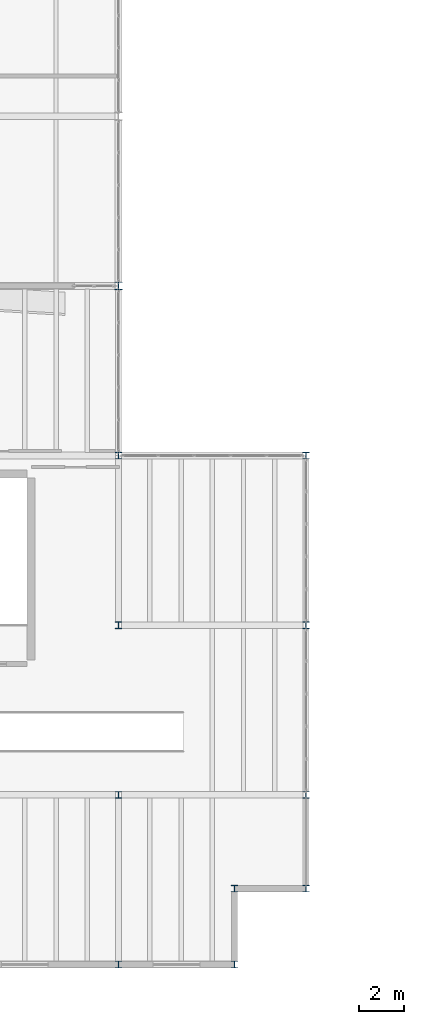
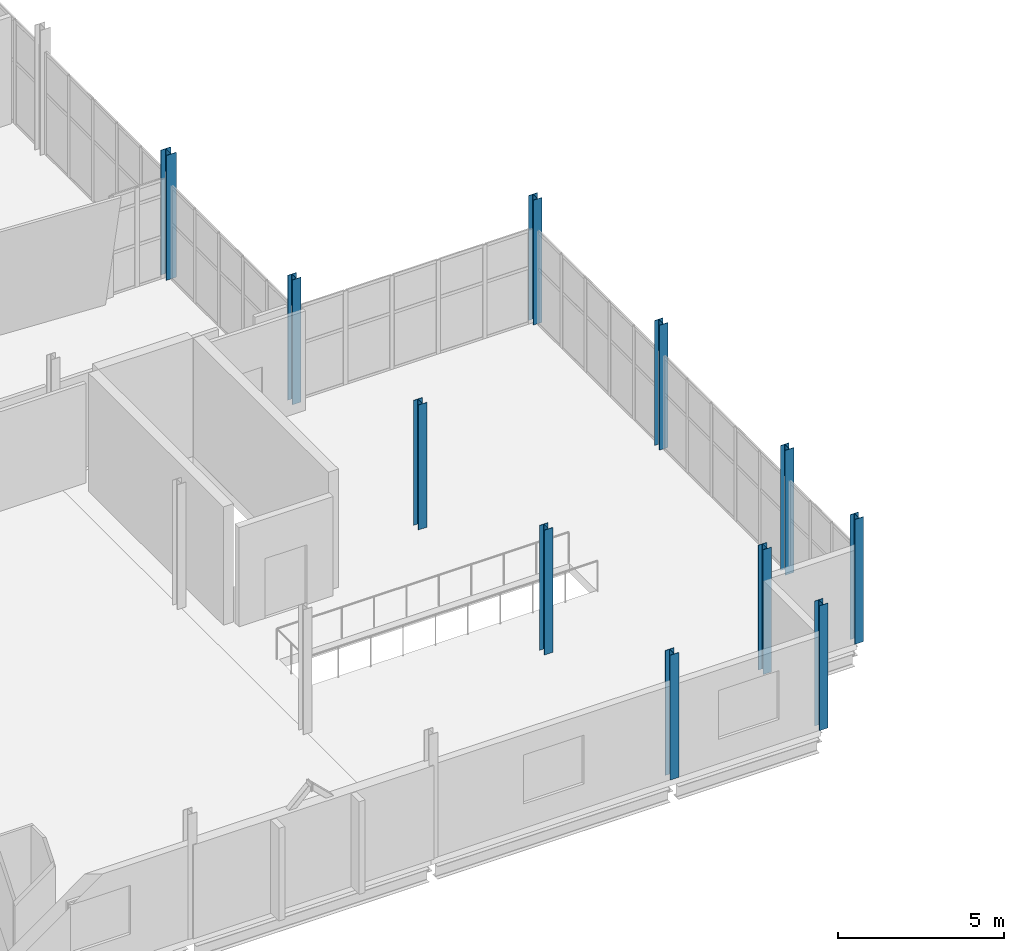
# One storey, part 2 of 136: 11 columns.
"""IFC4 building model written with IfcOpenShell, lengths in metres."""

from ifc_helpers import new_model, si_unit, direction, frame, origin, origin_2d, place, context, subcontext, project, spatial, i_section, extrude, material, material_profile, profile_set, type_object, element, save


model = new_model("IFC4")

# Units and contexts
model_context = context("Model", 3, precision=1e-05, world=origin(), true_north=direction((0.0, 1.0)))
body_context = subcontext(model_context, "Body", "Model", "MODEL_VIEW")
ifc_project = project(units=[si_unit("LENGTHUNIT", "METRE"), si_unit("AREAUNIT", "SQUARE_METRE"), si_unit("VOLUMEUNIT", "CUBIC_METRE"), si_unit("PLANEANGLEUNIT", "RADIAN"), si_unit("MASSUNIT", "GRAM", prefix="KILO")], contexts=[model_context])

# Site, building, storey
site_placement = place(None, origin())
site = spatial("IfcSite", under=ifc_project, at=site_placement, CompositionType="ELEMENT")
building_placement = place(site_placement, origin())
building = spatial("IfcBuilding", under=site, at=building_placement, Name="Shengluoqiao Park Theatre", CompositionType="ELEMENT")
storey_placement = place(building_placement, frame((0.0, 0.0, 10.0)))
storey = spatial("IfcBuildingStorey", under=building, at=storey_placement, Name="L02", CompositionType="ELEMENT", Elevation=10.0)

# Columns
ifc_material = material(Name="Steel Q355", Category="steel")
ifc_material_profile_1 = material_profile(ifc_material, i_section(OverallWidth=0.300048828125, OverallDepth=0.300048828125, WebThickness=0.010009765625, FlangeThickness=0.014892578125, FilletRadius=0.01806640625, at=origin_2d()), Name="HW 300x300x10x15")
ifc_profile_set_1 = profile_set([ifc_material_profile_1], Name="Steel Q355")
column_type_1 = type_object("IfcColumnType", Name="STR-COL-C-HW300", PredefinedType="COLUMN", material=ifc_profile_set_1)
for number, where, z_axis, x_axis, name in (
    (1, (36.0, 0.0, 0.0), (0.0, 0.0, 1.0), (1.0, 0.0, 0.0), "L02 Column 0146"),
    (2, (36.0, 7.60009765625, 0.0), (0.0, 0.0, 1.0), (1.0, 0.0, 0.0), "L02 Column 0150"),
    (3, (36.0, 15.199951171875, 0.0), (0.0, 0.0, 1.0), (1.0, 0.0, 0.0), "L02 Column 0154"),
    (4, (36.0, 22.800048828125, 0.0), (0.0, 0.0, 1.0), (1.0, 0.0, 0.0), "L02 Column 0158"),
    (5, (44.39990234375, 7.60009765625, 0.0), (0.0, 0.0, 1.0), (1.0, 0.0, 0.0), "L02 Column 0194"),
    (6, (44.39990234375, 15.199951171875, 0.0), (0.0, 0.0, 1.0), (1.0, 0.0, 0.0), "L02 Column 0198"),
    (7, (44.39990234375, 22.800048828125, 0.0), (0.0, 0.0, 1.0), (1.0, 0.0, 0.0), "L02 Column 0202"),
    (8, (41.199951171875, 0.0, 0.0), (0.0, 0.0, 1.0), (1.0, 0.0, 0.0), "L02 Corner Step Column 01"),
    (9, (41.199951171875, 3.39990234375, 0.0), (0.0, 0.0, 1.0), (1.0, 0.0, 0.0), "L02 Corner Step Column 02"),
    (10, (44.39990234375, 3.39990234375, 0.0), (0.0, 0.0, 1.0), (1.0, 0.0, 0.0), "L02 Corner Step Column 03"),
):
    element("IfcColumn", number, at=place(storey_placement, frame(where, z_axis=z_axis, x_axis=x_axis)), inside=storey, type_object=column_type_1, Name=name, PredefinedType="COLUMN", context=body_context, shape_type="SweptSolid", body=[
        extrude(i_section(OverallWidth=0.300048828125, OverallDepth=0.300048828125, WebThickness=0.010009765625, FlangeThickness=0.014892578125, FilletRadius=0.01806640625, at=origin_2d()), origin(), (0.0, 0.0, 1.0), 4.60009765625),
    ])
ifc_material_profile_2 = material_profile(ifc_material, i_section(OverallWidth=0.347900390625, OverallDepth=0.343994140625, WebThickness=0.010009765625, FlangeThickness=0.01611328125, FilletRadius=0.01806640625, at=origin_2d()), Name="HW 344x348x10x16")
ifc_profile_set_2 = profile_set([ifc_material_profile_2], Name="Steel Q355")
column_type_2 = type_object("IfcColumnType", Name="STR-COL-C-HW344", PredefinedType="COLUMN", material=ifc_profile_set_2)
column_placement = place(storey_placement, frame((36.0, 30.39990234375, 0.0), z_axis=(0.0, 0.0, 1.0), x_axis=(1.0, 0.0, 0.0)))
element("IfcColumn", 11, at=column_placement, inside=storey, type_object=column_type_2, Name="L02 Column 0161", PredefinedType="COLUMN", context=body_context, shape_type="SweptSolid", body=[
    extrude(i_section(OverallWidth=0.347900390625, OverallDepth=0.343994140625, WebThickness=0.010009765625, FlangeThickness=0.01611328125, FilletRadius=0.01806640625, at=origin_2d()), origin(), (0.0, 0.0, 1.0), 4.60009765625),
])

save(model, "model.ifc")
